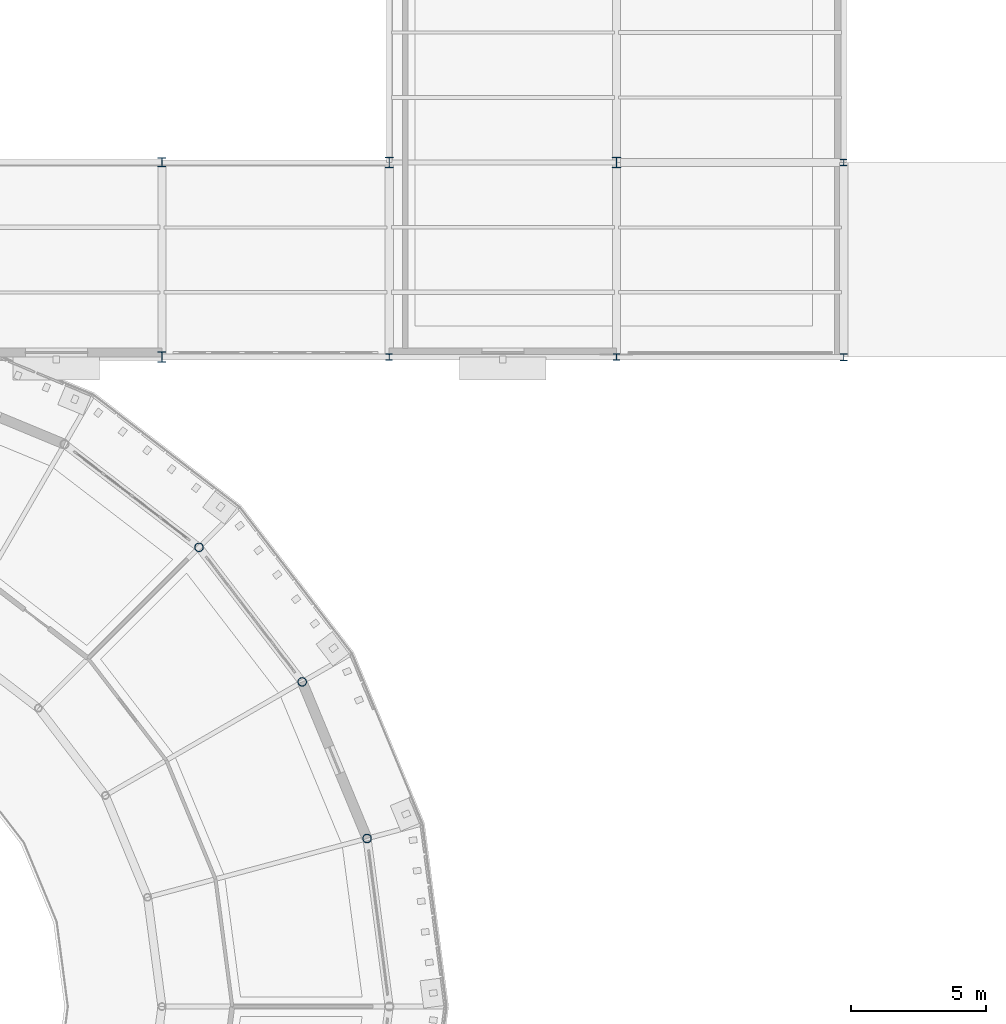
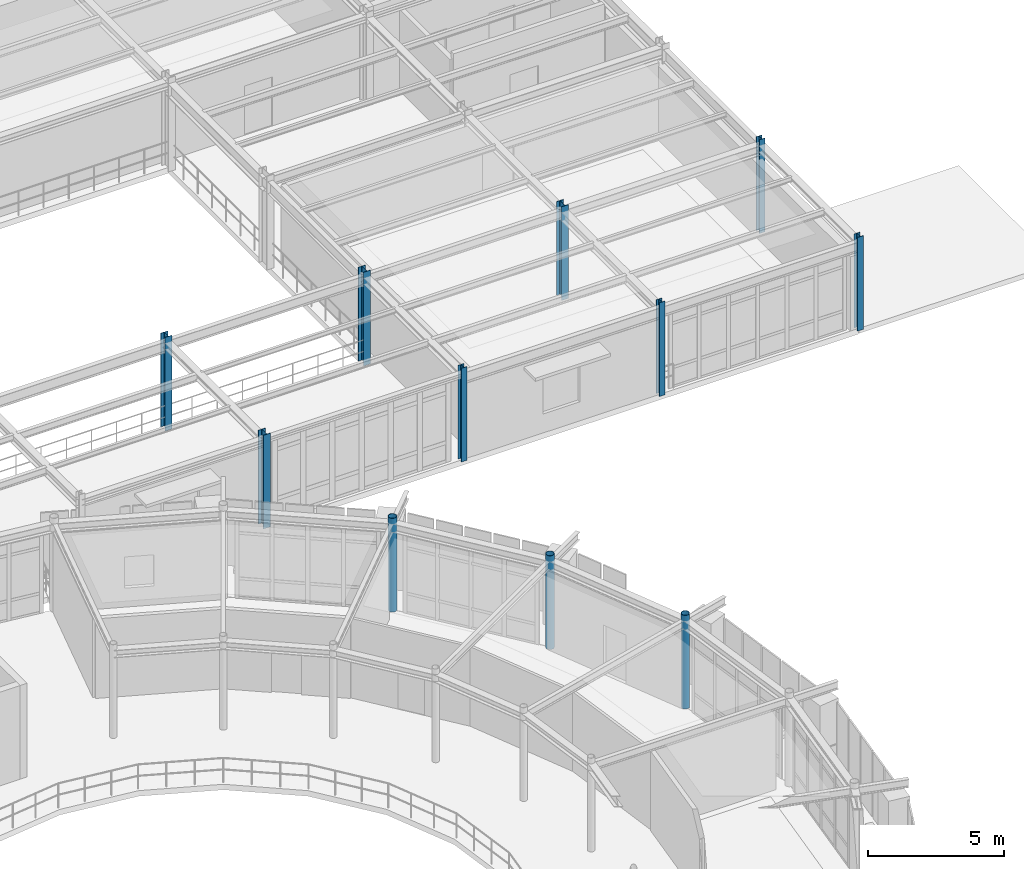
# One storey, part 18 of 90: 11 columns.
"""IFC4 building model written with IfcOpenShell, lengths in metres."""

from ifc_helpers import new_model, si_unit, derived_unit, direction, frame, origin, origin_2d, place, context, subcontext, project, spatial, hollow_circle, i_section, extrude, material, material_profile, profile_set, type_object, element, save


model = new_model("IFC4")

# Units and contexts
model_context = context("Model", 3, precision=1e-05, world=origin(), true_north=direction((0.0, 1.0)))
body_context = subcontext(model_context, "Body", "Model", "MODEL_VIEW")
ifc_project = project(units=[si_unit("LENGTHUNIT", "METRE"), si_unit("AREAUNIT", "SQUARE_METRE"), si_unit("VOLUMEUNIT", "CUBIC_METRE"), si_unit("PLANEANGLEUNIT", "RADIAN"), si_unit("MASSUNIT", "GRAM", prefix="KILO"), derived_unit("THERMALTRANSMITTANCEUNIT", [(si_unit("POWERUNIT", "WATT"), 1), (si_unit("AREAUNIT", "SQUARE_METRE"), -1), (si_unit("THERMODYNAMICTEMPERATUREUNIT", "KELVIN"), -1)])], contexts=[model_context])

# Site, building, storey
site_placement = place(None, origin())
site = spatial("IfcSite", under=ifc_project, at=site_placement, CompositionType="ELEMENT")
building_placement = place(site_placement, origin())
building = spatial("IfcBuilding", under=site, at=building_placement, Name="Yasenodar Specialist Clinic", CompositionType="ELEMENT")
storey_placement = place(building_placement, frame((0.0, 0.0, 9.0)))
storey = spatial("IfcBuildingStorey", under=building, at=storey_placement, Name="L02", CompositionType="ELEMENT", Elevation=9.0)

# Columns
ifc_material = material(Name="Steel S355", Category="steel")
ifc_material_profile_1 = material_profile(ifc_material, hollow_circle(Radius=0.161865234375, WallThickness=0.01611328125, at=origin_2d()), Name="CHS 323.9x16")
ifc_profile_set_1 = profile_set([ifc_material_profile_1], Name="Steel S355")
column_type_1 = type_object("IfcColumnType", Name="COL-ST-CHS324", PredefinedType="COLUMN", material=ifc_profile_set_1)
for number, where, z_axis, x_axis, name in (
    (1, (104.18212890625, 65.01171875, 0.0), (0.0, 0.0, 1.0), (1.0, 0.0, 0.0), "L02 Drum V1 Outer Column 02"),
    (2, (101.78466796875, 70.800048828125, 0.0), (0.0, 0.0, 1.0), (1.0, 0.0, 0.0), "L02 Drum V1 Outer Column 03"),
    (3, (97.970703125, 75.7705078125, 0.0), (0.0, 0.0, 1.0), (1.0, 0.0, 0.0), "L02 Drum V1 Outer Column 04"),
):
    element("IfcColumn", number, at=place(storey_placement, frame(where, z_axis=z_axis, x_axis=x_axis)), inside=storey, type_object=column_type_1, Name=name, PredefinedType="COLUMN", context=body_context, shape_type="SweptSolid", body=[
        extrude(hollow_circle(Radius=0.161865234375, WallThickness=0.01611328125, at=origin_2d()), origin(), (0.0, 0.0, 1.0), 4.199951171875),
    ])
ifc_material_profile_2 = material_profile(ifc_material, i_section(OverallWidth=0.300048828125, OverallDepth=0.330078125, WebThickness=0.009521484375, FlangeThickness=0.0166015625, FilletRadius=0.027099609375, at=origin_2d()), Name="HEA 340")
ifc_profile_set_2 = profile_set([ifc_material_profile_2], Name="Steel S355")
column_type_2 = type_object("IfcColumnType", Name="COL-ST-HEA340", PredefinedType="COLUMN", material=ifc_profile_set_2)
column_1_placement = place(storey_placement, frame((96.60009765625, 90.0, 0.0), z_axis=(0.0, 0.0, 1.0), x_axis=(1.0, 0.0, 0.0)))
element("IfcColumn", 4, at=column_1_placement, inside=storey, type_object=column_type_2, Name="L02 Column V5-114", PredefinedType="COLUMN", context=body_context, shape_type="SweptSolid", body=[
    extrude(i_section(OverallWidth=0.300048828125, OverallDepth=0.330078125, WebThickness=0.009521484375, FlangeThickness=0.0166015625, FilletRadius=0.027099609375, at=origin_2d()), origin(), (0.0, 0.0, 1.0), 4.199951171875),
])
ifc_material_profile_3 = material_profile(ifc_material, i_section(OverallWidth=0.300048828125, OverallDepth=0.389892578125, WebThickness=0.010986328125, FlangeThickness=0.01904296875, FilletRadius=0.027099609375, at=origin_2d()), Name="HEA 400")
ifc_profile_set_3 = profile_set([ifc_material_profile_3], Name="Steel S355")
column_type_3 = type_object("IfcColumnType", Name="COL-ST-HEA400", PredefinedType="COLUMN", material=ifc_profile_set_3)
for number, where, z_axis, x_axis, name in (
    (5, (96.60009765625, 82.800048828125, 0.0), (0.0, 0.0, 1.0), (1.0, 0.0, 0.0), "L02 Column V5-113"),
    (6, (105.0, 90.0, 0.0), (0.0, 0.0, 1.0), (1.0, 0.0, 0.0), "L02 Column V5-123"),
    (7, (113.39990234375, 90.0, 0.0), (0.0, 0.0, 1.0), (1.0, 0.0, 0.0), "L02 Column V5-133"),
):
    element("IfcColumn", number, at=place(storey_placement, frame(where, z_axis=z_axis, x_axis=x_axis)), inside=storey, type_object=column_type_3, Name=name, PredefinedType="COLUMN", context=body_context, shape_type="SweptSolid", body=[
        extrude(i_section(OverallWidth=0.300048828125, OverallDepth=0.389892578125, WebThickness=0.010986328125, FlangeThickness=0.01904296875, FilletRadius=0.027099609375, at=origin_2d()), origin(), (0.0, 0.0, 1.0), 4.199951171875),
    ])
ifc_material_profile_4 = material_profile(ifc_material, i_section(OverallWidth=0.239990234375, OverallDepth=0.239990234375, WebThickness=0.010009765625, FlangeThickness=0.01708984375, FilletRadius=0.02099609375, at=origin_2d()), Name="HEB 240")
ifc_profile_set_4 = profile_set([ifc_material_profile_4], Name="Steel S355")
column_type_4 = type_object("IfcColumnType", Name="COL-ST-HEB240", PredefinedType="COLUMN", material=ifc_profile_set_4)
for number, where, z_axis, x_axis, name in (
    (8, (105.0, 82.800048828125, 0.0), (0.0, 0.0, 1.0), (1.0, 0.0, 0.0), "L02 Column V5-122"),
    (9, (113.39990234375, 82.800048828125, 0.0), (0.0, 0.0, 1.0), (1.0, 0.0, 0.0), "L02 Column V5-132"),
    (10, (121.800048828125, 90.0, 0.0), (0.0, 0.0, 1.0), (1.0, 0.0, 0.0), "L02 Column V5-142"),
):
    element("IfcColumn", number, at=place(storey_placement, frame(where, z_axis=z_axis, x_axis=x_axis)), inside=storey, type_object=column_type_4, Name=name, PredefinedType="COLUMN", context=body_context, shape_type="SweptSolid", body=[
        extrude(i_section(OverallWidth=0.239990234375, OverallDepth=0.239990234375, WebThickness=0.010009765625, FlangeThickness=0.01708984375, FilletRadius=0.02099609375, at=origin_2d()), origin(), (0.0, 0.0, 1.0), 4.199951171875),
    ])
ifc_material_profile_5 = material_profile(ifc_material, i_section(OverallWidth=0.260009765625, OverallDepth=0.260009765625, WebThickness=0.010009765625, FlangeThickness=0.017578125, FilletRadius=0.02392578125, at=origin_2d()), Name="HEB 260")
ifc_profile_set_5 = profile_set([ifc_material_profile_5], Name="Steel S355")
column_type_5 = type_object("IfcColumnType", Name="COL-ST-HEB260", PredefinedType="COLUMN", material=ifc_profile_set_5)
column_2_placement = place(storey_placement, frame((121.800048828125, 82.800048828125, 0.0), z_axis=(0.0, 0.0, 1.0), x_axis=(1.0, 0.0, 0.0)))
element("IfcColumn", 11, at=column_2_placement, inside=storey, type_object=column_type_5, Name="L02 Column V5-141", PredefinedType="COLUMN", context=body_context, shape_type="SweptSolid", body=[
    extrude(i_section(OverallWidth=0.260009765625, OverallDepth=0.260009765625, WebThickness=0.010009765625, FlangeThickness=0.017578125, FilletRadius=0.02392578125, at=origin_2d()), origin(), (0.0, 0.0, 1.0), 4.199951171875),
])

save(model, "model.ifc")
